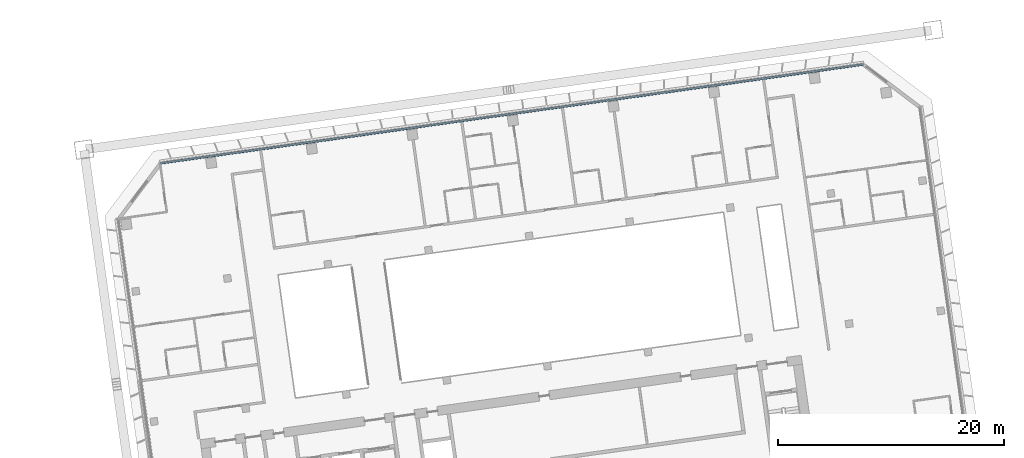
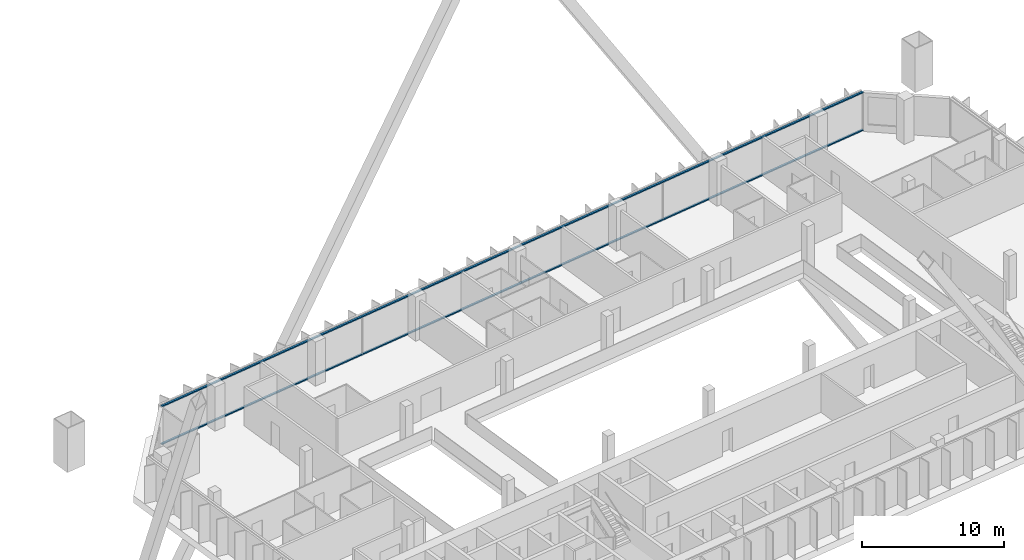
# One storey, part 24 of 41: 2 members, 1 element without a shape of its own.
"""IFC4 building model written with IfcOpenShell, lengths in metres."""

import ifcopenshell
import ifcopenshell.guid

model = None  # the IFC model being written
_history = None  # IfcOwnerHistory: only IFC2X3 demands one
_inside = {}  # id of a spatial element -> (the spatial element, [elements in it])
_under = {}  # id of a project, library or spatial element -> (it, [spatial elements below it])
_declared = {}  # id of a project -> (the project, [libraries it declares])
_typed = {}  # id of a type object -> (the type object, [elements of that type])
_made_of = {}  # id of a material, layer set ... -> (it, [elements and type objects made of it])


def new_model(schema):
    """Start an empty IFC model of exactly this schema.

    Asked for "IFC4X3", IfcOpenShell would pick the latest addendum, in which some entities
    have other attributes; the version numbers below select the first issue.
    IFC2X3 requires an IfcOwnerHistory on every rooted entity: one is made here for all.
    """
    global model, _history
    if schema == "IFC4X3":
        model = ifcopenshell.file(schema_version=(4, 3, 0, 0))
    else:
        model = ifcopenshell.file(schema=schema)
    _inside.clear()
    _under.clear()
    _declared.clear()
    _typed.clear()
    _made_of.clear()
    _history = None
    if model.schema == "IFC2X3":
        org = make("IfcOrganization", Name="unknown")
        user = make(
            "IfcPersonAndOrganization",
            ThePerson=make("IfcPerson", FamilyName="unknown"),
            TheOrganization=org,
        )
        app = make(
            "IfcApplication",
            ApplicationDeveloper=org,
            Version="unknown",
            ApplicationFullName="unknown",
            ApplicationIdentifier="unknown",
        )
        _history = make(
            "IfcOwnerHistory",
            OwningUser=user,
            OwningApplication=app,
            ChangeAction="ADDED",
            CreationDate=0,
        )
    return model


def make(cls, **values):
    """One entity of the class cls with the attributes given. An attribute that is None is left unset."""
    return model.create_entity(
        cls, **{name: value for name, value in values.items() if value is not None}
    )


def rooted(cls, **values):
    """An entity with a GlobalId (a new one), such as an element, a storey or a relation."""
    return make(cls, GlobalId=ifcopenshell.guid.new(), OwnerHistory=_history, **values)


def si_unit(unit_type, name, prefix=None):
    """IfcSIUnit, for example si_unit("LENGTHUNIT", "METRE", prefix="MILLI")."""
    return make("IfcSIUnit", UnitType=unit_type, Prefix=prefix, Name=name)


def assignment(units):
    """IfcUnitAssignment: the units of a project."""
    return None if units is None else make("IfcUnitAssignment", Units=units)


def point(xyz):
    """IfcCartesianPoint."""
    return None if xyz is None else make("IfcCartesianPoint", Coordinates=xyz)


def direction(xyz):
    """IfcDirection."""
    return None if xyz is None else make("IfcDirection", DirectionRatios=xyz)


def frame(location, z_axis=None, x_axis=None):
    """IfcAxis2Placement3D, a coordinate frame: its origin and axes. An axis left out is left unset."""
    return make(
        "IfcAxis2Placement3D",
        Location=point(location),
        Axis=direction(z_axis),
        RefDirection=direction(x_axis),
    )


def frame_2d(location, x_axis=None):
    """IfcAxis2Placement2D, a coordinate frame in the plane: its origin and x axis."""
    return make(
        "IfcAxis2Placement2D", Location=point(location), RefDirection=direction(x_axis)
    )


def origin():
    """The frame at (0, 0, 0) with its axes left unset."""
    return frame((0.0, 0.0, 0.0))


def origin_2d():
    """The frame at (0, 0) in the plane with its x axis left unset."""
    return frame_2d((0.0, 0.0))


def place(relative_to, where):
    """IfcLocalPlacement: puts the frame where relative to a parent placement (None: the world)."""
    return make(
        "IfcLocalPlacement", PlacementRelTo=relative_to, RelativePlacement=where
    )


def context(
    kind, dimensions, precision=None, world=None, true_north=None, identifier=None
):
    """IfcGeometricRepresentationContext, for example the 3D "Model" context."""
    return make(
        "IfcGeometricRepresentationContext",
        ContextIdentifier=identifier,
        ContextType=kind,
        CoordinateSpaceDimension=dimensions,
        Precision=precision,
        WorldCoordinateSystem=world,
        TrueNorth=true_north,
    )


def subcontext(parent, identifier, kind, view, scale=None):
    """IfcGeometricRepresentationSubContext, for example "Body" below "Model"."""
    return make(
        "IfcGeometricRepresentationSubContext",
        ContextIdentifier=identifier,
        ContextType=kind,
        ParentContext=parent,
        TargetScale=scale,
        TargetView=view,
    )


def project(units=None, contexts=None):
    """IfcProject with its units and contexts."""
    return rooted(
        "IfcProject",
        Name="project",
        RepresentationContexts=contexts,
        UnitsInContext=assignment(units),
    )


def spatial(cls, under=None, at=None, **own):
    """A site, building, storey or space (cls), placed at a placement, below another one or the project."""
    s = rooted(cls, ObjectPlacement=at, **own)
    if under is not None:
        _under.setdefault(under.id(), (under, []))[1].append(s)
    return s


def profile(cls, at=None, kind="AREA", **sizes):
    """A parametric profile (cls). Its sizes go by their IFC names, for example OverallWidth=200.0."""
    return make(cls, ProfileType=kind, Position=at, **sizes)


def rectangle(**sizes):
    """IfcRectangleProfileDef."""
    return profile("IfcRectangleProfileDef", **sizes)


def extrude(swept, where, along, depth):
    """IfcExtrudedAreaSolid: the profile swept, set in the frame where, extruded along a direction by depth."""
    return make(
        "IfcExtrudedAreaSolid",
        SweptArea=swept,
        Position=where,
        ExtrudedDirection=direction(along),
        Depth=depth,
    )


def shape(context_of_items, identifier, shape_type, items):
    """IfcShapeRepresentation: the items that make up one representation, for example the "Body"."""
    return make(
        "IfcShapeRepresentation",
        ContextOfItems=context_of_items,
        RepresentationIdentifier=identifier,
        RepresentationType=shape_type,
        Items=items,
    )


def material(Name=None, Category=None):
    """IfcMaterial."""
    return make("IfcMaterial", Name=Name, Category=Category)


def material_profile(
    of_material, cross_section, Name=None, Category=None, Priority=None
):
    """IfcMaterialProfile: a cross section and its material."""
    return make(
        "IfcMaterialProfile",
        Name=Name,
        Material=of_material,
        Profile=cross_section,
        Priority=Priority,
        Category=Category,
    )


def profile_set(profiles, Name=None, composite=None):
    """IfcMaterialProfileSet."""
    return make(
        "IfcMaterialProfileSet",
        Name=Name,
        MaterialProfiles=profiles,
        CompositeProfile=composite,
    )


def made_of(thing, what):
    """Note that an element or type object is made of a material, layer set ...; save() writes the relation."""
    if what is not None:
        _made_of.setdefault(what.id(), (what, []))[1].append(thing)
    return thing


def type_object(cls, material=None, **own):
    """A type object (cls), such as IfcWallType, which elements share."""
    return made_of(rooted(cls, **own), material)


def element(
    cls,
    number,
    at=None,
    inside=None,
    cuts=None,
    type_object=None,
    material=None,
    context=None,
    identifier="Body",
    shape_type=None,
    held_by="IfcProductDefinitionShape",
    body=None,
    shapes=None,
    **own,
):
    """One element of the class cls, such as IfcWall. Its Tag is "e" and its number.

    at: its placement. inside: the storey or other place that contains it. cuts: it is an
    opening in that element (IfcRelVoidsElement). A single representation is given by context,
    identifier, shape_type and body (its items); several are given by shapes. held_by: the class
    of the entity that holds the representations. save() writes the other relations.
    """
    e = rooted(cls, Tag="e%d" % number, ObjectPlacement=at, **own)
    if body is not None:
        shapes = [shape(context, identifier, shape_type, body)]
    if shapes is not None:
        e.Representation = make(held_by, Representations=shapes)
    if inside is not None:
        _inside.setdefault(inside.id(), (inside, []))[1].append(e)
    if cuts is not None:
        rooted(
            "IfcRelVoidsElement", RelatingBuildingElement=cuts, RelatedOpeningElement=e
        )
    if type_object is not None:
        _typed.setdefault(type_object.id(), (type_object, []))[1].append(e)
    return made_of(e, material)


def aggregate(whole, parts):
    """IfcRelAggregates: a whole, such as a stair, and the parts it consists of."""
    return rooted("IfcRelAggregates", RelatingObject=whole, RelatedObjects=parts)


def save(model, path):
    """Write the relations noted so far, then the file.

    IfcRelAggregates (storeys below a building ...), IfcRelContainedInSpatialStructure (elements
    in a storey), IfcRelDefinesByType, IfcRelAssociatesMaterial and IfcRelDeclares: one each for
    every whole, place, type object, material and project.
    """
    for whole, parts in _under.values():
        aggregate(whole, parts)
    for where, things in _inside.values():
        rooted(
            "IfcRelContainedInSpatialStructure",
            RelatedElements=things,
            RelatingStructure=where,
        )
    for kind, things in _typed.values():
        rooted("IfcRelDefinesByType", RelatedObjects=things, RelatingType=kind)
    for what, things in _made_of.values():
        rooted("IfcRelAssociatesMaterial", RelatedObjects=things, RelatingMaterial=what)
    for by, libraries in _declared.values():
        rooted("IfcRelDeclares", RelatingContext=by, RelatedDefinitions=libraries)
    model.write(path)


model = new_model("IFC4")

# Units and contexts
model_context = context("Model", 3, precision=1e-05, world=origin(), true_north=direction((0.0, 1.0)))
body_context = subcontext(model_context, "Body", "Model", "MODEL_VIEW")
ifc_project = project(units=[si_unit("LENGTHUNIT", "METRE"), si_unit("AREAUNIT", "SQUARE_METRE"), si_unit("VOLUMEUNIT", "CUBIC_METRE"), si_unit("PLANEANGLEUNIT", "RADIAN"), si_unit("MASSUNIT", "GRAM", prefix="KILO")], contexts=[model_context])

# Site, building, storey
site_placement = place(None, origin())
site = spatial("IfcSite", under=ifc_project, at=site_placement, CompositionType="ELEMENT")
building_placement = place(site_placement, origin())
building = spatial("IfcBuilding", under=site, at=building_placement, Name="Mirante Cascada Hotel Towers", CompositionType="ELEMENT")
storey_placement = place(building_placement, frame((0.0, 0.0, 125.3)))
storey = spatial("IfcBuildingStorey", under=building, at=storey_placement, Name="L28", CompositionType="ELEMENT", Elevation=125.3)

# Curtain wall, members
ifc_material_1 = material(Name="Aluminium mullion and transom frame with clear laminated glass", Category="aluminium")
curtain_wall_type = type_object("IfcCurtainWallType", Name="Ribbon curtain wall ECW1", PredefinedType="NOTDEFINED", material=ifc_material_1)
curtain_wall_placement = place(storey_placement, origin())
curtain_wall = element("IfcCurtainWall", 1, at=curtain_wall_placement, inside=storey, type_object=curtain_wall_type, Name="Front ribbon wall T2 L28", PredefinedType="NOTDEFINED")
ifc_material_2 = material(Name="Anodised aluminium extrusion", Category="aluminium")
ifc_material_profile = material_profile(ifc_material_2, rectangle(XDim=0.16, YDim=0.1, at=origin_2d()), Name="ECW1 TRANSOM 100x160")
ifc_profile_set = profile_set([ifc_material_profile], Name="Anodised aluminium extrusion")
member_type = type_object("IfcMemberType", Name="ECW1 transom 100x160", PredefinedType="USERDEFINED", material=ifc_profile_set)
member_1_placement = place(storey_placement, frame((94.1582, 26.0521, 0.05), z_axis=(-0.9902681, -0.1391728, 0.0), x_axis=(0.1391728, -0.9902681, 0.0)))
member_1 = element("IfcMember", 2, at=member_1_placement, type_object=member_type, Name="ECW1 sill transom", ObjectType="TRANSOM", PredefinedType="USERDEFINED", context=body_context, shape_type="SweptSolid", body=[
    extrude(rectangle(XDim=0.16, YDim=0.1, at=origin_2d()), origin(), (0.0, 0.0, 1.0), 62.8758),
])
member_2_placement = place(storey_placement, frame((94.1582, 26.0521, 3.3), z_axis=(-0.9902681, -0.1391728, 0.0), x_axis=(0.1391728, -0.9902681, 0.0)))
member_2 = element("IfcMember", 3, at=member_2_placement, type_object=member_type, Name="ECW1 head transom", ObjectType="TRANSOM", PredefinedType="USERDEFINED", context=body_context, shape_type="SweptSolid", body=[
    extrude(rectangle(XDim=0.16, YDim=0.1, at=origin_2d()), origin(), (0.0, 0.0, 1.0), 62.8758),
])
aggregate(curtain_wall, [member_1, member_2])

save(model, "model.ifc")
